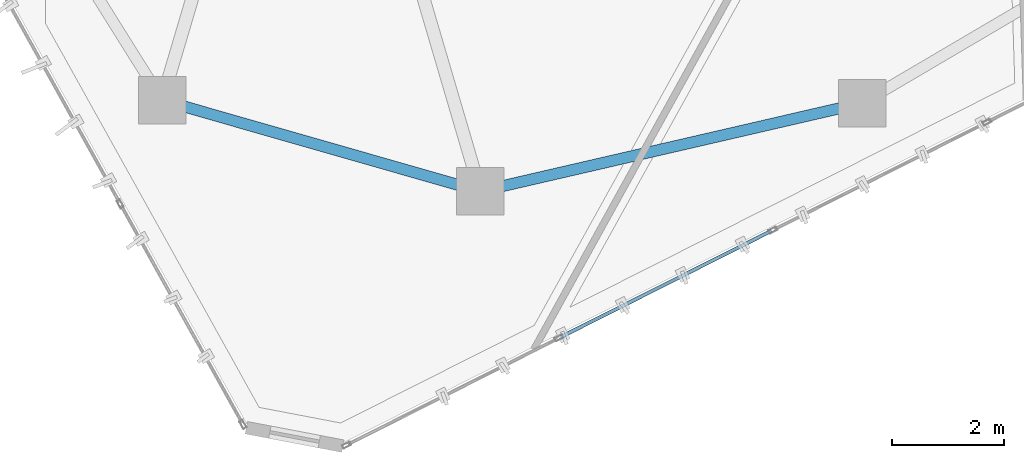
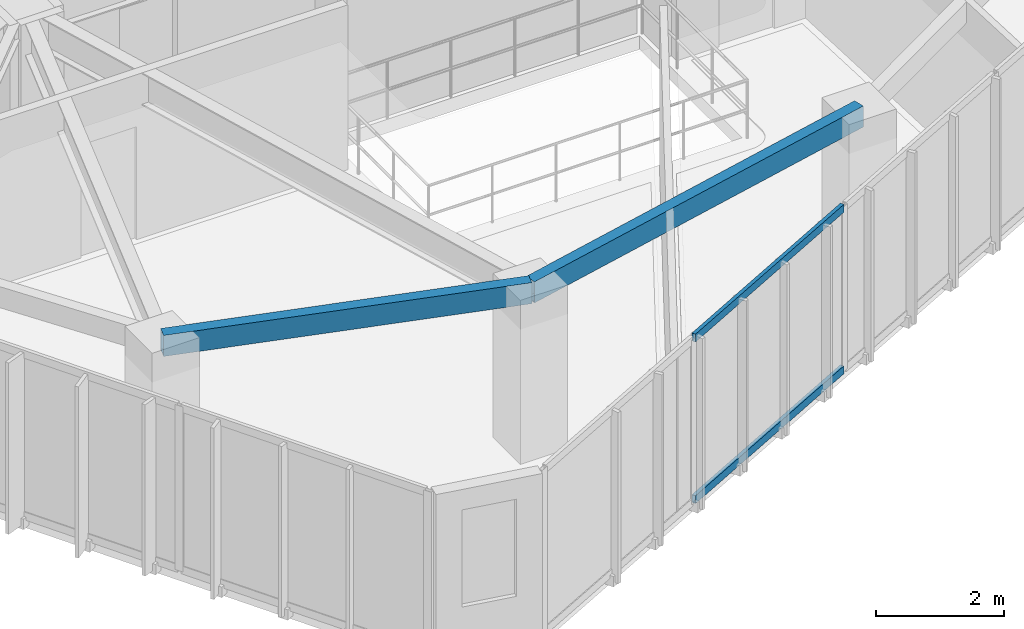
# One storey, part 3 of 21: 2 beams, 2 members, 1 element without a shape of its own.
"""IFC4 building model written with IfcOpenShell, lengths in metres."""

from ifc_helpers import new_model, si_unit, direction, frame, origin, origin_2d, place, context, subcontext, project, spatial, hollow_rectangle, extrude, source, transform, mapped, material, layer, layer_set, material_profile, profile_set, type_object, type_shapes, element, aggregate, save


model = new_model("IFC4")

# Units and contexts
model_context = context("Model", 3, precision=1e-05, world=origin(), true_north=direction((0.0, 1.0)))
body_context = subcontext(model_context, "Body", "Model", "MODEL_VIEW")
ifc_project = project(units=[si_unit("LENGTHUNIT", "METRE"), si_unit("AREAUNIT", "SQUARE_METRE"), si_unit("VOLUMEUNIT", "CUBIC_METRE"), si_unit("PLANEANGLEUNIT", "RADIAN"), si_unit("MASSUNIT", "GRAM", prefix="KILO")], contexts=[model_context])

# Site, building, storey
site_placement = place(None, origin())
site = spatial("IfcSite", under=ifc_project, at=site_placement, CompositionType="ELEMENT")
building_placement = place(site_placement, origin())
building = spatial("IfcBuilding", under=site, at=building_placement, Name="Talar Marvaseh", CompositionType="ELEMENT")
storey_placement = place(building_placement, frame((0.0, 0.0, 264.60009765625)))
storey = spatial("IfcBuildingStorey", under=building, at=storey_placement, Name="L70", CompositionType="ELEMENT", Elevation=264.60009765625)

# Beams
ifc_material_1 = material(Name="Steel S355", Category="steel")
ifc_material_profile_1 = material_profile(ifc_material_1, hollow_rectangle(XDim=0.199951171875, YDim=0.39990234375, WallThickness=0.013916015625, at=origin_2d()), Name="RHS400x200x14")
ifc_profile_set_1 = profile_set([ifc_material_profile_1], Name="Steel S355")
beam_type = type_object("IfcBeamType", Name="Zone 3 Perimeter Spandrel Beam RHS400x200x14", PredefinedType="SPANDREL", material=ifc_profile_set_1)
beam_1_placement = place(storey_placement, frame((28.60498046875, 16.616943359375, 2.93994140625), z_axis=(-0.974361245946, -0.22498924952, 0.0), x_axis=(0.22498924952, -0.974361245946, 0.0)))
element("IfcBeam", 1, at=beam_1_placement, inside=storey, type_object=beam_type, Name="L70 Zone 3 Perimeter Spandrel Beam RHS400x200x14", PredefinedType="SPANDREL", context=body_context, shape_type="SweptSolid", body=[
    extrude(hollow_rectangle(XDim=0.199951171875, YDim=0.39990234375, WallThickness=0.013916015625, at=origin_2d()), origin(), (0.0, 0.0, 1.0), 7.0087890625),
])
beam_2_placement = place(storey_placement, frame((21.77587890625, 15.0400390625, 2.93994140625), z_axis=(-0.961411768303, 0.275113452538, 0.0), x_axis=(-0.275113452538, -0.961411768303, 0.0)))
element("IfcBeam", 2, at=beam_2_placement, inside=storey, type_object=beam_type, Name="L70 Zone 3 Perimeter Spandrel Beam RHS400x200x14", PredefinedType="SPANDREL", context=body_context, shape_type="SweptSolid", body=[
    extrude(hollow_rectangle(XDim=0.199951171875, YDim=0.39990234375, WallThickness=0.013916015625, at=origin_2d()), origin(), (0.0, 0.0, 1.0), 5.917236328125),
])

# Curtain wall, members
ifc_material_2 = material(Name="Architectural Aluminium", Category="aluminium")
ifc_layer = layer(ifc_material_2, 0.179931640625)
ifc_layer_set = layer_set([ifc_layer], Name="Architectural Aluminium")
curtain_wall_type = type_object("IfcCurtainWallType", Name="Unitised High-Wind Sky Curtain Wall Z4", PredefinedType="NOTDEFINED", material=ifc_layer_set)
curtain_wall_placement = place(storey_placement, origin())
curtain_wall = element("IfcCurtainWall", 3, at=curtain_wall_placement, inside=storey, type_object=curtain_wall_type, Name="L70 Unitised High-Wind Sky Curtain Wall Z4", PredefinedType="NOTDEFINED")
ifc_material_profile_2 = material_profile(ifc_material_2, hollow_rectangle(XDim=0.06494140625, YDim=0.14990234375, WallThickness=0.00390625, at=origin_2d()), Name="RHS150x65x4")
ifc_profile_set_2 = profile_set([ifc_material_profile_2], Name="Architectural Aluminium")
member_type = type_object("IfcMemberType", Name="Unitised Curtain Wall Slim Transom RHS150x65x4", PredefinedType="USERDEFINED", material=ifc_profile_set_2)
shared_shape = source(origin(), body_context, "Body", "SweptSolid", [
    extrude(hollow_rectangle(XDim=0.06494140625, YDim=0.14990234375, WallThickness=0.00390625, at=origin_2d()), origin(), (0.0, 0.0, 1.0), 4.221435546875),
])
type_shapes(member_type, [shared_shape])
member_1_placement = place(storey_placement, frame((26.98193359375, 14.332275390625, 0.032470703125), z_axis=(-0.892906793107, -0.450241556081, 0.0), x_axis=(0.450241556081, -0.892906793107, 0.0)))
member_1 = element("IfcMember", 4, at=member_1_placement, type_object=member_type, Name="CW-Z4 transom 3.1", ObjectType="TRANSOM", PredefinedType="USERDEFINED", context=body_context, shape_type="MappedRepresentation", body=[
    mapped(shared_shape, transform((0.0, 0.0, 0.0), x_axis=(1.0, 0.0, 0.0), y_axis=(0.0, 1.0, 0.0), z_axis=(0.0, 0.0, 1.0), scale=1.0)),
])
member_2_placement = place(storey_placement, frame((26.98193359375, 14.332275390625, 3.107421875), z_axis=(-0.892906793107, -0.450241556081, 0.0), x_axis=(0.450241556081, -0.892906793107, 0.0)))
member_2 = element("IfcMember", 5, at=member_2_placement, type_object=member_type, Name="CW-Z4 transom 3.2", ObjectType="TRANSOM", PredefinedType="USERDEFINED", context=body_context, shape_type="MappedRepresentation", body=[
    mapped(shared_shape, transform((0.0, 0.0, 0.0), x_axis=(1.0, 0.0, 0.0), y_axis=(0.0, 1.0, 0.0), z_axis=(0.0, 0.0, 1.0), scale=1.0)),
])
aggregate(curtain_wall, [member_1, member_2])

save(model, "model.ifc")
